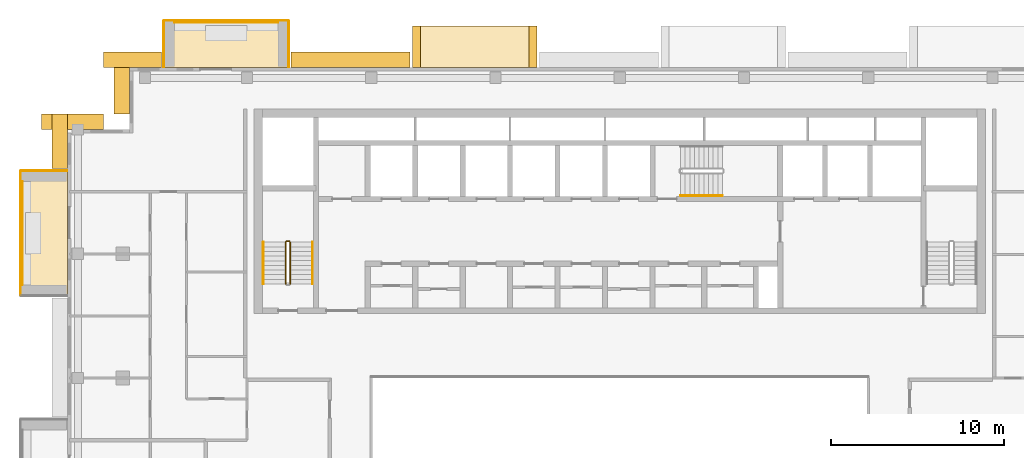
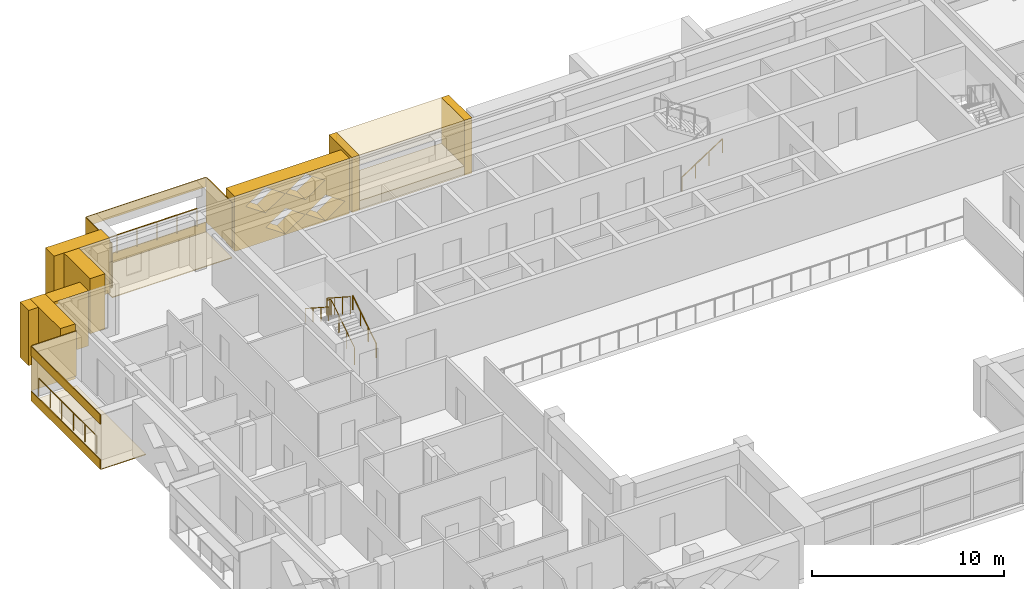
# One storey, part 17 of 19: 18 coverings, 6 railings.
"""IFC4 building model written with IfcOpenShell, lengths in metres."""

from ifc_helpers import new_model, si_unit, direction, frame, origin, origin_2d, place, context, subcontext, project, spatial, polyline, circle, outline, extrude, material, layer, layer_set, type_object, element, save


model = new_model("IFC4")

# Units and contexts
model_context = context("Model", 3, precision=1e-05, world=origin(), true_north=direction((0.0, 1.0)))
body_context = subcontext(model_context, "Body", "Model", "MODEL_VIEW")
ifc_project = project(units=[si_unit("LENGTHUNIT", "METRE"), si_unit("AREAUNIT", "SQUARE_METRE"), si_unit("VOLUMEUNIT", "CUBIC_METRE"), si_unit("PLANEANGLEUNIT", "RADIAN"), si_unit("MASSUNIT", "GRAM", prefix="KILO")], contexts=[model_context])

# Site, building, storey
site_placement = place(None, origin())
site = spatial("IfcSite", under=ifc_project, at=site_placement, CompositionType="ELEMENT")
building_placement = place(site_placement, origin())
building = spatial("IfcBuilding", under=site, at=building_placement, Name="Saffron Iwan Residences", CompositionType="ELEMENT")
storey_placement = place(building_placement, frame((0.0, 0.0, 239.5)))
storey = spatial("IfcBuildingStorey", under=building, at=storey_placement, Name="L64", CompositionType="ELEMENT", Elevation=239.5)

# Railings
ifc_material_1 = material(Name="Stainless steel 316", Category="steel")
railing_type_1 = type_object("IfcRailingType", Name="BALCONY GUARD 1150", PredefinedType="GUARDRAIL", material=ifc_material_1)
railing_1_placement = place(storey_placement, frame((30.60009765625, 83.02490234375, 0.0)))
element("IfcRailing", 1, at=railing_1_placement, inside=storey, type_object=railing_type_1, Name="Balcony guard L64 F5-3", PredefinedType="GUARDRAIL", context=body_context, shape_type="SweptSolid", body=[
    extrude(circle(Radius=0.02392578125, at=origin_2d()), frame((0.0, 0.0, 1.1259765625), z_axis=(-1.0, 0.0, 0.0), x_axis=(0.0, -1.0, 0.0)), (0.0, 0.0, 1.0), 6.0),
    extrude(circle(Radius=0.02099609375, at=origin_2d()), origin(), (0.0, 0.0, 1.0), 1.101806640625),
    extrude(circle(Radius=0.02099609375, at=origin_2d()), frame((-1.199951171875, 0.0, 0.0)), (0.0, 0.0, 1.0), 1.101806640625),
    extrude(circle(Radius=0.02099609375, at=origin_2d()), frame((-2.39990234375, 0.0, 0.0)), (0.0, 0.0, 1.0), 1.101806640625),
    extrude(circle(Radius=0.02099609375, at=origin_2d()), frame((-3.60009765625, 0.0, 0.0)), (0.0, 0.0, 1.0), 1.101806640625),
    extrude(circle(Radius=0.02099609375, at=origin_2d()), frame((-4.800048828125, 0.0, 0.0)), (0.0, 0.0, 1.0), 1.101806640625),
    extrude(circle(Radius=0.02099609375, at=origin_2d()), frame((-6.0, 0.0, 0.0)), (0.0, 0.0, 1.0), 1.101806640625),
])
railing_2_placement = place(storey_placement, frame((15.77490234375, 73.800048828125, 0.0)))
element("IfcRailing", 2, at=railing_2_placement, inside=storey, type_object=railing_type_1, Name="Balcony guard L64 F8-0", PredefinedType="GUARDRAIL", context=body_context, shape_type="SweptSolid", body=[
    extrude(circle(Radius=0.02392578125, at=origin_2d()), frame((0.0, 0.0, 1.1259765625), z_axis=(0.0, -1.0, 0.0), x_axis=(1.0, 0.0, 0.0)), (0.0, 0.0, 1.0), 6.0),
    extrude(circle(Radius=0.02099609375, at=origin_2d()), origin(), (0.0, 0.0, 1.0), 1.101806640625),
    extrude(circle(Radius=0.02099609375, at=origin_2d()), frame((0.0, -1.199951171875, 0.0)), (0.0, 0.0, 1.0), 1.101806640625),
    extrude(circle(Radius=0.02099609375, at=origin_2d()), frame((0.0, -2.39990234375, 0.0)), (0.0, 0.0, 1.0), 1.101806640625),
    extrude(circle(Radius=0.02099609375, at=origin_2d()), frame((0.0, -3.60009765625, 0.0)), (0.0, 0.0, 1.0), 1.101806640625),
    extrude(circle(Radius=0.02099609375, at=origin_2d()), frame((0.0, -4.800048828125, 0.0)), (0.0, 0.0, 1.0), 1.101806640625),
    extrude(circle(Radius=0.02099609375, at=origin_2d()), frame((0.0, -6.0, 0.0)), (0.0, 0.0, 1.0), 1.101806640625),
])

# Coverings
ifc_material_2 = material(Name="Precast concrete C40/50 white painted", Category="concrete")
ifc_layer = layer(ifc_material_2, 0.050048828125)
ifc_layer_set = layer_set([ifc_layer], Name="Precast concrete C40/50 white painted")
covering_type_1 = type_object("IfcCoveringType", Name="FRAME SKIN PRECAST WHITE 50", PredefinedType="CLADDING", material=ifc_layer_set)
for number, where, name in (
    (3, (0.0, 0.0, -0.60009765625), "Frame skin slab edge L64 F5-3"),
    (4, (0.0, 0.0, 2.25), "Frame skin fascia L64 F5-3"),
):
    element("IfcCovering", number, at=place(storey_placement, frame(where)), inside=storey, type_object=covering_type_1, Name=name, PredefinedType="CLADDING", context=body_context, shape_type="SweptSolid", body=[
        extrude(outline(polyline([(31.199951171875, 83.14990234375), (24.0, 83.14990234375), (24.0, 83.10009765625), (31.199951171875, 83.10009765625), (31.199951171875, 83.14990234375)])), origin(), (0.0, 0.0, 1.0), 0.60009765625),
    ])
covering_1_placement = place(storey_placement, frame((0.0, 0.0, -0.64990234375)))
element("IfcCovering", 5, at=covering_1_placement, inside=storey, type_object=covering_type_1, Name="Frame skin soffit L64 F5-3", PredefinedType="CLADDING", context=body_context, shape_type="SweptSolid", body=[
    extrude(outline(polyline([(31.199951171875, 83.10009765625), (24.0, 83.10009765625), (24.0, 80.39990234375), (31.199951171875, 80.39990234375), (31.199951171875, 83.10009765625)])), origin(), (0.0, 0.0, 1.0), 0.0498046875),
])
covering_2_placement = place(storey_placement, origin())
element("IfcCovering", 6, at=covering_2_placement, inside=storey, type_object=covering_type_1, Name="Frame skin fin L64 F5-3a", PredefinedType="CLADDING", context=body_context, shape_type="SweptSolid", body=[
    extrude(outline(polyline([(31.25, 83.10009765625), (31.199951171875, 83.10009765625), (31.199951171875, 80.39990234375), (31.25, 80.39990234375), (31.25, 83.10009765625)])), origin(), (0.0, 0.0, 1.0), 2.85009765625),
])
covering_3_placement = place(storey_placement, origin())
element("IfcCovering", 7, at=covering_3_placement, inside=storey, type_object=covering_type_1, Name="Frame skin fin L64 F5-3b", PredefinedType="CLADDING", context=body_context, shape_type="SweptSolid", body=[
    extrude(outline(polyline([(24.0, 83.10009765625), (23.949951171875, 83.10009765625), (23.949951171875, 80.39990234375), (24.0, 80.39990234375), (24.0, 83.10009765625)])), origin(), (0.0, 0.0, 1.0), 2.85009765625),
])
for number, where, name in (
    (8, (0.0, 0.0, -0.60009765625), "Frame skin slab edge L64 F8-0"),
    (9, (0.0, 0.0, 2.25), "Frame skin fascia L64 F8-0"),
):
    element("IfcCovering", number, at=place(storey_placement, frame(where)), inside=storey, type_object=covering_type_1, Name=name, PredefinedType="CLADDING", context=body_context, shape_type="SweptSolid", body=[
        extrude(outline(polyline([(15.64990234375, 74.39990234375), (15.64990234375, 67.199951171875), (15.699951171875, 67.199951171875), (15.699951171875, 74.39990234375), (15.64990234375, 74.39990234375)])), origin(), (0.0, 0.0, 1.0), 0.60009765625),
    ])
covering_4_placement = place(storey_placement, frame((0.0, 0.0, -0.64990234375)))
element("IfcCovering", 10, at=covering_4_placement, inside=storey, type_object=covering_type_1, Name="Frame skin soffit L64 F8-0", PredefinedType="CLADDING", context=body_context, shape_type="SweptSolid", body=[
    extrude(outline(polyline([(15.699951171875, 74.39990234375), (15.699951171875, 67.199951171875), (18.39990234375, 67.199951171875), (18.39990234375, 74.39990234375), (15.699951171875, 74.39990234375)])), origin(), (0.0, 0.0, 1.0), 0.0498046875),
])
covering_5_placement = place(storey_placement, origin())
element("IfcCovering", 11, at=covering_5_placement, inside=storey, type_object=covering_type_1, Name="Frame skin fin L64 F8-0a", PredefinedType="CLADDING", context=body_context, shape_type="SweptSolid", body=[
    extrude(outline(polyline([(15.699951171875, 74.449951171875), (15.699951171875, 74.39990234375), (18.39990234375, 74.39990234375), (18.39990234375, 74.449951171875), (15.699951171875, 74.449951171875)])), origin(), (0.0, 0.0, 1.0), 2.85009765625),
])
ifc_material_3 = material(Name="Precast concrete C40/50", Category="concrete")
covering_type_2 = type_object("IfcCoveringType", Name="OUTER SKIN LATTICE SCREEN", PredefinedType="CLADDING", material=ifc_material_3)
covering_6_placement = place(storey_placement, frame((38.25, 80.39990234375, -0.280029296875), z_axis=(0.0, 1.0, 0.0), x_axis=(-1.0, 0.0, 0.0)))
element("IfcCovering", 12, at=covering_6_placement, inside=storey, type_object=covering_type_2, Name="OUTER SKIN lattice screen L64 F5.3", PredefinedType="CLADDING", context=body_context, shape_type="SweptSolid", body=[
    extrude(outline(polyline([(0.0, 0.0), (6.89990234375, 0.0), (6.89990234375, 3.5), (0.0, 3.5), (0.0, 0.0)]), holes=[polyline([(0.27001953125, 0.875), (1.449951171875, 0.06005859375), (2.6298828125, 0.875), (1.449951171875, 1.68994140625), (0.27001953125, 0.875)]), polyline([(2.669921875, 0.875), (3.85009765625, 0.06005859375), (5.030029296875, 0.875), (3.85009765625, 1.68994140625), (2.669921875, 0.875)]), polyline([(1.469970703125, 2.625), (2.64990234375, 1.81005859375), (3.830078125, 2.625), (2.64990234375, 3.43994140625), (1.469970703125, 2.625)]), polyline([(3.8701171875, 2.625), (5.050048828125, 1.81005859375), (6.22998046875, 2.625), (5.050048828125, 3.43994140625), (3.8701171875, 2.625)])]), origin(), (0.0, 0.0, 1.0), 0.900146484375),
])
covering_7_placement = place(storey_placement, frame((23.85009765625, 80.39990234375, -0.280029296875), z_axis=(0.0, 1.0, 0.0), x_axis=(-1.0, 0.0, 0.0)))
element("IfcCovering", 13, at=covering_7_placement, inside=storey, type_object=covering_type_2, Name="OUTER SKIN lattice screen L64 F5.4", PredefinedType="CLADDING", context=body_context, shape_type="SweptSolid", body=[
    extrude(outline(polyline([(0.0, 0.0), (3.35009765625, 0.0), (3.35009765625, 3.5), (0.0, 3.5), (0.0, 0.0)]), holes=[polyline([(0.27001953125, 0.875), (1.449951171875, 0.06005859375), (2.6298828125, 0.875), (1.449951171875, 1.68994140625), (0.27001953125, 0.875)])]), origin(), (0.0, 0.0, 1.0), 0.900146484375),
])
for number, where, z_axis, x_axis, name in (
    (14, (22.0, 81.300048828125, -0.280029296875), (-1.0, 0.0, 0.0), (0.0, -1.0, 0.0), "OUTER SKIN lattice screen L64 F6.0"),
    (15, (20.5, 76.800048828125, -0.280029296875), (0.0, 1.0, 0.0), (-1.0, 0.0, 0.0), "OUTER SKIN lattice screen L64 F7.0"),
):
    element("IfcCovering", number, at=place(storey_placement, frame(where, z_axis=z_axis, x_axis=x_axis)), inside=storey, type_object=covering_type_2, Name=name, PredefinedType="CLADDING", context=body_context, shape_type="SweptSolid", body=[
        extrude(outline(polyline([(0.0, 0.0), (3.60009765625, 0.0), (3.60009765625, 3.5), (0.0, 3.5), (0.0, 0.0)]), holes=[polyline([(0.919921875, 0.875), (2.10009765625, 0.06005859375), (3.280029296875, 0.875), (2.10009765625, 1.68994140625), (0.919921875, 0.875)])]), origin(), (0.0, 0.0, 1.0), 0.89990234375),
    ])
covering_8_placement = place(storey_placement, frame((18.39990234375, 77.699951171875, -0.280029296875), z_axis=(-1.0, 0.0, 0.0), x_axis=(0.0, -1.0, 0.0)))
element("IfcCovering", 16, at=covering_8_placement, inside=storey, type_object=covering_type_2, Name="OUTER SKIN lattice screen L64 F8.0", PredefinedType="CLADDING", context=body_context, shape_type="SweptSolid", body=[
    extrude(outline(polyline([(0.0, 0.0), (3.14990234375, 0.0), (3.14990234375, 3.5), (0.0, 3.5), (0.0, 0.0)])), origin(), (0.0, 0.0, 1.0), 0.89990234375),
])

# Railings
ifc_material_4 = material(Name="Steel S355", Category="steel")
railing_type_2 = type_object("IfcRailingType", Name="Stair guard 1100", PredefinedType="GUARDRAIL", material=ifc_material_4)
railing_3_placement = place(storey_placement, frame((31.300048828125, 67.85009765625, 0.175048828125)))
element("IfcRailing", 17, at=railing_3_placement, inside=storey, type_object=railing_type_2, Name="L64 ST-W stair guard 1", PredefinedType="GUARDRAIL", context=body_context, shape_type="SweptSolid", body=[
    extrude(circle(Radius=0.02392578125, at=origin_2d()), frame((0.0, 0.0, 1.076171875), z_axis=(0.0, 0.839153699163, 0.543894354798), x_axis=(-1.0, 0.0, 0.0)), (0.0, 0.0, 1.0), 2.895751953125),
    extrude(circle(Radius=0.02392578125, at=origin_2d()), frame((0.0, 2.429931640625, 2.65087890625), z_axis=(-0.707106781187, 0.707106781187, 0.0), x_axis=(-0.707106781187, -0.707106781187, 0.0)), (0.0, 0.0, 1.0), 0.07080078125),
    extrude(circle(Radius=0.02392578125, at=origin_2d()), frame((-0.050048828125, 2.47998046875, 2.65087890625), z_axis=(-1.0, 0.0, 0.0), x_axis=(0.0, -1.0, 0.0)), (0.0, 0.0, 1.0), 0.14990234375),
    extrude(circle(Radius=0.02392578125, at=origin_2d()), frame((-0.199951171875, 2.47998046875, 2.65087890625), z_axis=(-0.265065253269, -0.265065253269, 0.927081885822), x_axis=(0.707106781187, -0.707106781187, 0.0)), (0.0, 0.0, 1.0), 0.188720703125),
    extrude(circle(Radius=0.02392578125, at=origin_2d()), frame((-0.25, 2.429931640625, 2.826171875), z_axis=(0.0, -0.839153699163, 0.543894354798), x_axis=(1.0, 0.0, 0.0)), (0.0, 0.0, 1.0), 2.895751953125),
    extrude(circle(Radius=0.02099609375, at=origin_2d()), origin(), (0.0, 0.0, 1.0), 1.052001953125),
    extrude(circle(Radius=0.02099609375, at=origin_2d()), frame((0.0, 0.81005859375, 0.52490234375)), (0.0, 0.0, 1.0), 1.052001953125),
    extrude(circle(Radius=0.02099609375, at=origin_2d()), frame((0.0, 1.619873046875, 1.050048828125)), (0.0, 0.0, 1.0), 1.052001953125),
    extrude(circle(Radius=0.02099609375, at=origin_2d()), frame((0.0, 2.429931640625, 1.574951171875)), (0.0, 0.0, 1.0), 1.052001953125),
    extrude(circle(Radius=0.02099609375, at=origin_2d()), frame((-0.050048828125, 2.47998046875, 1.574951171875)), (0.0, 0.0, 1.0), 1.052001953125),
    extrude(circle(Radius=0.02099609375, at=origin_2d()), frame((-0.199951171875, 2.47998046875, 1.574951171875)), (0.0, 0.0, 1.0), 1.052001953125),
    extrude(circle(Radius=0.02099609375, at=origin_2d()), frame((-0.25, 2.429931640625, 1.75)), (0.0, 0.0, 1.0), 1.052001953125),
    extrude(circle(Radius=0.02099609375, at=origin_2d()), frame((-0.25, 1.619873046875, 2.27490234375)), (0.0, 0.0, 1.0), 1.052001953125),
    extrude(circle(Radius=0.02099609375, at=origin_2d()), frame((-0.25, 0.81005859375, 2.800048828125)), (0.0, 0.0, 1.0), 1.052001953125),
    extrude(circle(Radius=0.02099609375, at=origin_2d()), frame((-0.25, 0.0, 3.324951171875)), (0.0, 0.0, 1.0), 1.052001953125),
])
railing_type_3 = type_object("IfcRailingType", Name="Stair handrail 900", PredefinedType="HANDRAIL", material=ifc_material_1)
railing_4_placement = place(storey_placement, frame((32.60009765625, 67.85009765625, 0.175048828125)))
element("IfcRailing", 18, at=railing_4_placement, inside=storey, type_object=railing_type_3, Name="L64 ST-W stair handrail 1", PredefinedType="HANDRAIL", context=body_context, shape_type="SweptSolid", body=[
    extrude(circle(Radius=0.02392578125, at=origin_2d()), frame((0.0, 0.0, 0.8759765625), z_axis=(0.0, 0.839153699163, 0.543894354798), x_axis=(-1.0, 0.0, 0.0)), (0.0, 0.0, 1.0), 2.895751953125),
    extrude(circle(Radius=0.02099609375, at=origin_2d()), origin(), (0.0, 0.0, 1.0), 0.851806640625),
    extrude(circle(Radius=0.02099609375, at=origin_2d()), frame((0.0, 0.81005859375, 0.52490234375)), (0.0, 0.0, 1.0), 0.851806640625),
    extrude(circle(Radius=0.02099609375, at=origin_2d()), frame((0.0, 1.619873046875, 1.050048828125)), (0.0, 0.0, 1.0), 0.851806640625),
    extrude(circle(Radius=0.02099609375, at=origin_2d()), frame((0.0, 2.429931640625, 1.574951171875)), (0.0, 0.0, 1.0), 0.851806640625),
])
railing_5_placement = place(storey_placement, frame((29.75, 70.280029296875, 1.925048828125)))
element("IfcRailing", 19, at=railing_5_placement, inside=storey, type_object=railing_type_3, Name="L64 ST-W stair handrail 2", PredefinedType="HANDRAIL", context=body_context, shape_type="SweptSolid", body=[
    extrude(circle(Radius=0.02392578125, at=origin_2d()), frame((0.0, 0.0, 0.8759765625), z_axis=(0.0, -0.839153699163, 0.543894354798), x_axis=(1.0, 0.0, 0.0)), (0.0, 0.0, 1.0), 2.895751953125),
    extrude(circle(Radius=0.02099609375, at=origin_2d()), origin(), (0.0, 0.0, 1.0), 0.851806640625),
    extrude(circle(Radius=0.02099609375, at=origin_2d()), frame((0.0, -0.81005859375, 0.52490234375)), (0.0, 0.0, 1.0), 0.851806640625),
    extrude(circle(Radius=0.02099609375, at=origin_2d()), frame((0.0, -1.619873046875, 1.050048828125)), (0.0, 0.0, 1.0), 0.851806640625),
    extrude(circle(Radius=0.02099609375, at=origin_2d()), frame((0.0, -2.429931640625, 1.574951171875)), (0.0, 0.0, 1.0), 0.851806640625),
])
railing_6_placement = place(storey_placement, frame((53.925048828125, 72.97509765625, 0.175048828125)))
element("IfcRailing", 20, at=railing_6_placement, inside=storey, type_object=railing_type_3, Name="L64 ST-C stair handrail 1", PredefinedType="HANDRAIL", context=body_context, shape_type="SweptSolid", body=[
    extrude(circle(Radius=0.02392578125, at=origin_2d()), frame((0.0, 0.0, 0.8759765625), z_axis=(0.839153699163, 0.0, 0.543894354798), x_axis=(0.0, 1.0, 0.0)), (0.0, 0.0, 1.0), 2.895751953125),
    extrude(circle(Radius=0.02099609375, at=origin_2d()), origin(), (0.0, 0.0, 1.0), 0.851806640625),
    extrude(circle(Radius=0.02099609375, at=origin_2d()), frame((0.81005859375, 0.0, 0.52490234375)), (0.0, 0.0, 1.0), 0.851806640625),
    extrude(circle(Radius=0.02099609375, at=origin_2d()), frame((1.619873046875, 0.0, 1.050048828125)), (0.0, 0.0, 1.0), 0.851806640625),
    extrude(circle(Radius=0.02099609375, at=origin_2d()), frame((2.429931640625, 0.0, 1.574951171875)), (0.0, 0.0, 1.0), 0.851806640625),
])

# Coverings
covering_type_3 = type_object("IfcCoveringType", Name="WHITE SUN FRAME PRECAST", PredefinedType="CLADDING", material=ifc_material_2)
for number, where, z_axis, x_axis, name in (
    (21, (45.60009765625, 80.39990234375, -0.280029296875), (0.0, 1.0, 0.0), (-1.0, 0.0, 0.0), "Sun frame L64 F5 33.2a"),
    (22, (38.85009765625, 80.39990234375, -0.280029296875), (0.0, 1.0, 0.0), (-1.0, 0.0, 0.0), "Sun frame L64 F5 33.2b"),
):
    element("IfcCovering", number, at=place(storey_placement, frame(where, z_axis=z_axis, x_axis=x_axis)), inside=storey, type_object=covering_type_3, Name=name, PredefinedType="CLADDING", context=body_context, shape_type="SweptSolid", body=[
        extrude(outline(polyline([(0.0, 0.0), (0.449951171875, 0.0), (0.449951171875, 3.5), (0.0, 3.5), (0.0, 0.0)])), origin(), (0.0, 0.0, 1.0), 2.400146484375),
    ])
for number, where, z_axis, x_axis, name in (
    (23, (45.14990234375, 80.39990234375, 2.6201171875), (0.0, 1.0, 0.0), (-1.0, 0.0, 0.0), "Sun frame L64 F5 33.2h"),
    (24, (45.14990234375, 80.39990234375, -0.280029296875), (0.0, 1.0, 0.0), (-1.0, 0.0, 0.0), "Sun frame L64 F5 33.2s"),
):
    element("IfcCovering", number, at=place(storey_placement, frame(where, z_axis=z_axis, x_axis=x_axis)), inside=storey, type_object=covering_type_3, Name=name, PredefinedType="CLADDING", context=body_context, shape_type="SweptSolid", body=[
        extrude(outline(polyline([(0.0, 0.0), (6.300048828125, 0.0), (6.300048828125, 0.60009765625), (0.0, 0.60009765625), (0.0, 0.0)])), origin(), (0.0, 0.0, 1.0), 2.400146484375),
    ])

save(model, "model.ifc")
